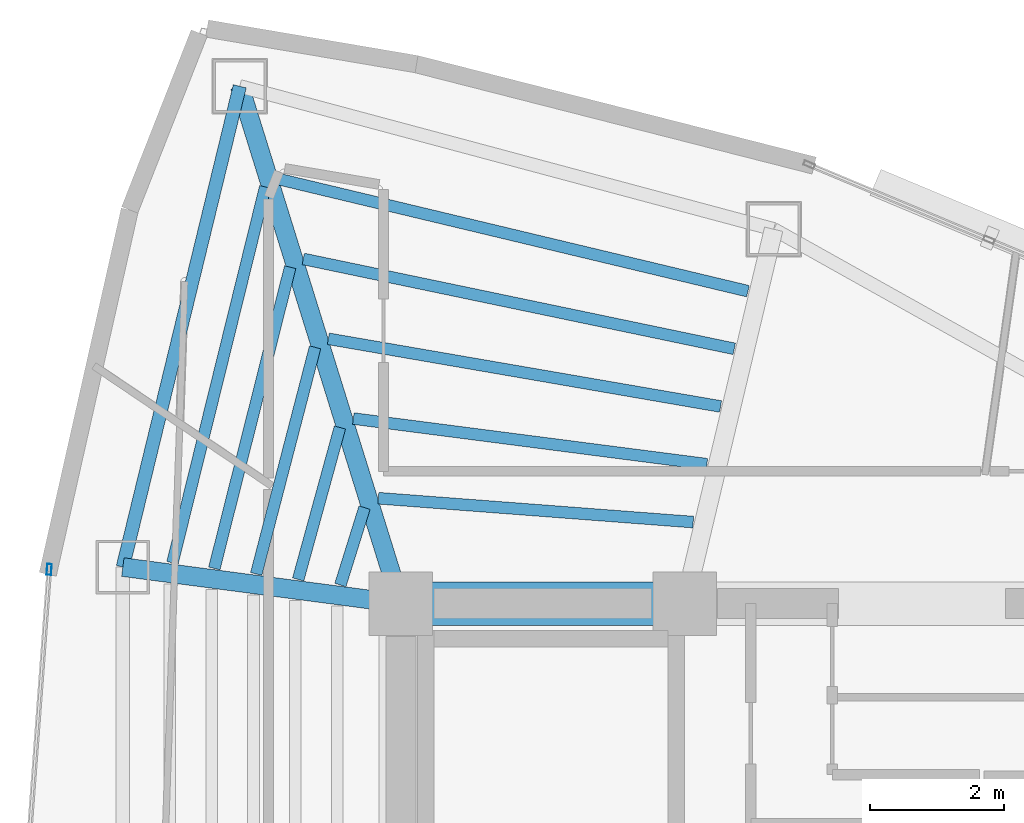
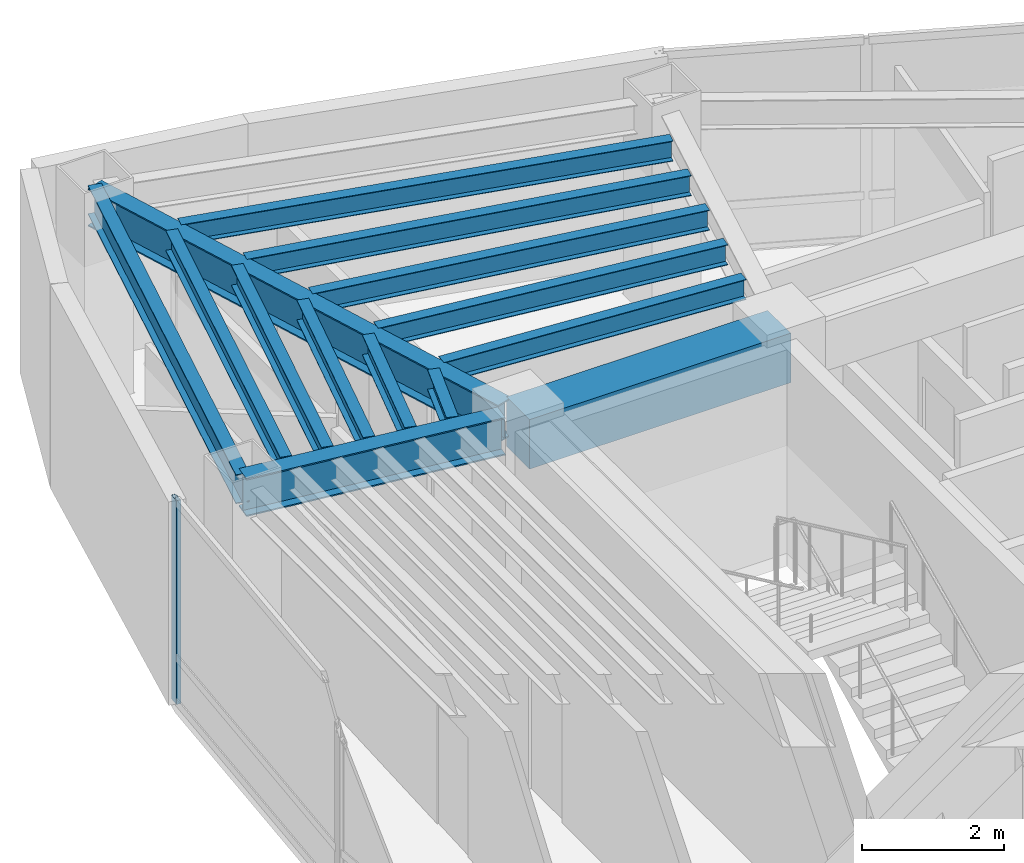
# One storey, part 7 of 16: 14 beams, 1 member, 1 element without a shape of its own.
"""IFC4 building model written with IfcOpenShell, lengths in metres."""

from ifc_helpers import new_model, si_unit, direction, frame, origin, origin_2d, place, context, subcontext, project, spatial, rectangle, hollow_rectangle, i_section, extrude, material, layer, layer_set, material_profile, profile_set, type_object, element, aggregate, save


model = new_model("IFC4")

# Units and contexts
model_context = context("Model", 3, precision=1e-05, world=origin(), true_north=direction((0.0, 1.0)))
body_context = subcontext(model_context, "Body", "Model", "MODEL_VIEW")
ifc_project = project(units=[si_unit("LENGTHUNIT", "METRE"), si_unit("AREAUNIT", "SQUARE_METRE"), si_unit("VOLUMEUNIT", "CUBIC_METRE"), si_unit("PLANEANGLEUNIT", "RADIAN"), si_unit("MASSUNIT", "GRAM", prefix="KILO")], contexts=[model_context])

# Site, building, storey
site_placement = place(None, origin())
site = spatial("IfcSite", under=ifc_project, at=site_placement, CompositionType="ELEMENT")
building_placement = place(site_placement, origin())
building = spatial("IfcBuilding", under=site, at=building_placement, Name="Menara Vayukalpa", CompositionType="ELEMENT")
storey_placement = place(building_placement, frame((0.0, 0.0, 273.179931640625)))
storey = spatial("IfcBuildingStorey", under=building, at=storey_placement, Name="L69", CompositionType="ELEMENT", Elevation=273.179931640625)

# Beams
ifc_material_1 = material(Name="Concrete C60/75", Category="concrete")
ifc_material_profile_1 = material_profile(ifc_material_1, rectangle(XDim=0.64990234375, YDim=0.85009765625, at=origin_2d()), Name="RC 650x850")
ifc_profile_set_1 = profile_set([ifc_material_profile_1], Name="Concrete C60/75")
beam_type_1 = type_object("IfcBeamType", Name="BM-CB1", PredefinedType="BEAM", material=ifc_profile_set_1)
beam_1_placement = place(storey_placement, frame((17.800048828125, 26.800048828125, 3.074951171875), z_axis=(1.0, 0.0, 0.0), x_axis=(0.0, 1.0, 0.0)))
element("IfcBeam", 1, at=beam_1_placement, inside=storey, type_object=beam_type_1, Name="L69 Core Tie Beam CBR4", PredefinedType="BEAM", context=body_context, shape_type="SweptSolid", body=[
    extrude(rectangle(XDim=0.64990234375, YDim=0.85009765625, at=origin_2d()), origin(), (0.0, 0.0, 1.0), 4.25),
])
ifc_material_2 = material(Name="Steel S355", Category="steel")
ifc_material_profile_2 = material_profile(ifc_material_2, i_section(OverallWidth=0.280029296875, OverallDepth=0.64990234375, WebThickness=0.012939453125, FlangeThickness=0.02197265625, at=origin_2d()), Name="WF 650x280x13x22")
ifc_profile_set_2 = profile_set([ifc_material_profile_2], Name="Steel S355")
beam_type_2 = type_object("IfcBeamType", Name="BM-PG6", PredefinedType="BEAM", material=ifc_profile_set_2)
beam_2_placement = place(storey_placement, frame((17.7255859375, 27.038818359375, 3.175048828125), z_axis=(-0.297213792842, 0.954810955815, 0.0), x_axis=(-0.954810955815, -0.297213792842, 0.0)))
element("IfcBeam", 2, at=beam_2_placement, inside=storey, type_object=beam_type_2, Name="L69 Primary Radial Girder RG04", PredefinedType="BEAM", context=body_context, shape_type="SweptSolid", body=[
    extrude(i_section(OverallWidth=0.280029296875, OverallDepth=0.64990234375, WebThickness=0.012939453125, FlangeThickness=0.02197265625, at=origin_2d()), origin(), (0.0, 0.0, 1.0), 7.861083984375),
])
beam_3_placement = place(storey_placement, frame((17.552001953125, 26.83251953125, 3.175048828125), z_axis=(-0.991477860763, 0.130275291662, 0.0), x_axis=(-0.130275291662, -0.991477860763, 0.0)))
element("IfcBeam", 3, at=beam_3_placement, inside=storey, type_object=beam_type_2, Name="L69 Primary Radial Girder RG05", PredefinedType="BEAM", context=body_context, shape_type="SweptSolid", body=[
    extrude(i_section(OverallWidth=0.280029296875, OverallDepth=0.64990234375, WebThickness=0.012939453125, FlangeThickness=0.02197265625, at=origin_2d()), origin(), (0.0, 0.0, 1.0), 3.94677734375),
])
ifc_material_3 = material(Name="Steel S355", Category="steel")
ifc_material_profile_3 = material_profile(ifc_material_3, i_section(OverallWidth=0.175048828125, OverallDepth=0.35009765625, WebThickness=0.007080078125, FlangeThickness=0.010986328125, at=origin_2d()), Name="WF 350x175x7x11")
ifc_profile_set_3 = profile_set([ifc_material_profile_3], Name="Steel S355")
beam_type_3 = type_object("IfcBeamType", Name="BM-SJ3", PredefinedType="JOIST", material=ifc_profile_set_3)
beam_4_placement = place(storey_placement, frame((22.177490234375, 28.0205078125, 3.324951171875), z_axis=(-0.997140447376, 0.075570683512, 0.0), x_axis=(-0.075570683512, -0.997140447376, 0.0)))
element("IfcBeam", 4, at=beam_4_placement, inside=storey, type_object=beam_type_3, Name="L69 Secondary Floor Joist SJ03-1", PredefinedType="JOIST", context=body_context, shape_type="SweptSolid", body=[
    extrude(i_section(OverallWidth=0.175048828125, OverallDepth=0.35009765625, WebThickness=0.007080078125, FlangeThickness=0.010986328125, at=origin_2d()), origin(), (0.0, 0.0, 1.0), 4.726318359375),
])
beam_5_placement = place(storey_placement, frame((22.38232421875, 28.88671875, 3.324951171875), z_axis=(-0.991761375414, 0.128099079766, 0.0), x_axis=(-0.128099079766, -0.991761375414, 0.0)))
element("IfcBeam", 5, at=beam_5_placement, inside=storey, type_object=beam_type_3, Name="L69 Secondary Floor Joist SJ03-2", PredefinedType="JOIST", context=body_context, shape_type="SweptSolid", body=[
    extrude(i_section(OverallWidth=0.175048828125, OverallDepth=0.35009765625, WebThickness=0.007080078125, FlangeThickness=0.010986328125, at=origin_2d()), origin(), (0.0, 0.0, 1.0), 5.33642578125),
])
beam_6_placement = place(storey_placement, frame((22.587158203125, 29.751220703125, 3.324951171875), z_axis=(-0.985438818134, 0.170030396443, 0.0), x_axis=(-0.170030396443, -0.985438818134, 0.0)))
element("IfcBeam", 6, at=beam_6_placement, inside=storey, type_object=beam_type_3, Name="L69 Secondary Floor Joist SJ03-3", PredefinedType="JOIST", context=body_context, shape_type="SweptSolid", body=[
    extrude(i_section(OverallWidth=0.175048828125, OverallDepth=0.35009765625, WebThickness=0.007080078125, FlangeThickness=0.010986328125, at=origin_2d()), origin(), (0.0, 0.0, 1.0), 5.958740234375),
])
beam_7_placement = place(storey_placement, frame((22.7919921875, 30.614501953125, 3.324951171875), z_axis=(-0.978940645958, 0.204145075108, 0.0), x_axis=(-0.204145075108, -0.978940645958, 0.0)))
element("IfcBeam", 7, at=beam_7_placement, inside=storey, type_object=beam_type_3, Name="L69 Secondary Floor Joist SJ03-4", PredefinedType="JOIST", context=body_context, shape_type="SweptSolid", body=[
    extrude(i_section(OverallWidth=0.175048828125, OverallDepth=0.35009765625, WebThickness=0.007080078125, FlangeThickness=0.010986328125, at=origin_2d()), origin(), (0.0, 0.0, 1.0), 6.5908203125),
])
beam_8_placement = place(storey_placement, frame((22.996826171875, 31.476806640625, 3.324951171875), z_axis=(-0.972633830791, 0.232343347656, 0.0), x_axis=(-0.232343347656, -0.972633830791, 0.0)))
element("IfcBeam", 8, at=beam_8_placement, inside=storey, type_object=beam_type_3, Name="L69 Secondary Floor Joist SJ03-5", PredefinedType="JOIST", context=body_context, shape_type="SweptSolid", body=[
    extrude(i_section(OverallWidth=0.175048828125, OverallDepth=0.35009765625, WebThickness=0.007080078125, FlangeThickness=0.010986328125, at=origin_2d()), origin(), (0.0, 0.0, 1.0), 7.229248046875),
])
beam_9_placement = place(storey_placement, frame((17.25732421875, 28.237060546875, 3.324951171875), z_axis=(-0.297954442868, -0.954580090917, 0.0), x_axis=(0.954580090917, -0.297954442868, 0.0)))
element("IfcBeam", 9, at=beam_9_placement, inside=storey, type_object=beam_type_3, Name="L69 Secondary Floor Joist SJ04-1", PredefinedType="JOIST", context=body_context, shape_type="SweptSolid", body=[
    extrude(i_section(OverallWidth=0.175048828125, OverallDepth=0.35009765625, WebThickness=0.007080078125, FlangeThickness=0.010986328125, at=origin_2d()), origin(), (0.0, 0.0, 1.0), 1.21435546875),
])
beam_10_placement = place(storey_placement, frame((16.888916015625, 29.436279296875, 3.324951171875), z_axis=(-0.264947201585, -0.96426292077, 0.0), x_axis=(0.96426292077, -0.264947201585, 0.0)))
element("IfcBeam", 10, at=beam_10_placement, inside=storey, type_object=beam_type_3, Name="L69 Secondary Floor Joist SJ04-2", PredefinedType="JOIST", context=body_context, shape_type="SweptSolid", body=[
    extrude(i_section(OverallWidth=0.175048828125, OverallDepth=0.35009765625, WebThickness=0.007080078125, FlangeThickness=0.010986328125, at=origin_2d()), origin(), (0.0, 0.0, 1.0), 2.35888671875),
])
beam_11_placement = place(storey_placement, frame((16.51708984375, 30.63671875, 3.324951171875), z_axis=(-0.251457685321, -0.967868292947, 0.0), x_axis=(0.967868292947, -0.251457685321, 0.0)))
element("IfcBeam", 11, at=beam_11_placement, inside=storey, type_object=beam_type_3, Name="L69 Secondary Floor Joist SJ04-3", PredefinedType="JOIST", context=body_context, shape_type="SweptSolid", body=[
    extrude(i_section(OverallWidth=0.175048828125, OverallDepth=0.35009765625, WebThickness=0.007080078125, FlangeThickness=0.010986328125, at=origin_2d()), origin(), (0.0, 0.0, 1.0), 3.5048828125),
])
beam_12_placement = place(storey_placement, frame((16.14453125, 31.83740234375, 3.324951171875), z_axis=(-0.244239657645, -0.969714901212, 0.0), x_axis=(0.969714901212, -0.244239657645, 0.0)))
element("IfcBeam", 12, at=beam_12_placement, inside=storey, type_object=beam_type_3, Name="L69 Secondary Floor Joist SJ04-4", PredefinedType="JOIST", context=body_context, shape_type="SweptSolid", body=[
    extrude(i_section(OverallWidth=0.175048828125, OverallDepth=0.35009765625, WebThickness=0.007080078125, FlangeThickness=0.010986328125, at=origin_2d()), origin(), (0.0, 0.0, 1.0), 4.651123046875),
])
beam_13_placement = place(storey_placement, frame((15.771240234375, 33.0380859375, 3.324951171875), z_axis=(-0.239690910211, -0.970849250688, 0.0), x_axis=(0.970849250688, -0.239690910211, 0.0)))
element("IfcBeam", 13, at=beam_13_placement, inside=storey, type_object=beam_type_3, Name="L69 Secondary Floor Joist SJ04-5", PredefinedType="JOIST", context=body_context, shape_type="SweptSolid", body=[
    extrude(i_section(OverallWidth=0.175048828125, OverallDepth=0.35009765625, WebThickness=0.007080078125, FlangeThickness=0.010986328125, at=origin_2d()), origin(), (0.0, 0.0, 1.0), 5.797607421875),
])
ifc_material_4 = material(Name="Steel S355", Category="steel")
ifc_material_profile_4 = material_profile(ifc_material_4, i_section(OverallWidth=0.199951171875, OverallDepth=0.5, WebThickness=0.010009765625, FlangeThickness=0.01611328125, at=origin_2d()), Name="WF 500x200x10x16")
ifc_profile_set_4 = profile_set([ifc_material_profile_4], Name="Steel S355")
beam_type_4 = type_object("IfcBeamType", Name="BM-SP3", PredefinedType="SPANDREL", material=ifc_profile_set_4)
beam_14_placement = place(storey_placement, frame((15.38916015625, 34.544677734375, 3.25), z_axis=(-0.236272525754, -0.97168682896, 0.0), x_axis=(0.97168682896, -0.236272525754, 0.0)))
element("IfcBeam", 14, at=beam_14_placement, inside=storey, type_object=beam_type_4, Name="L69 Perimeter Spandrel Beam SP04", PredefinedType="SPANDREL", context=body_context, shape_type="SweptSolid", body=[
    extrude(i_section(OverallWidth=0.199951171875, OverallDepth=0.5, WebThickness=0.010009765625, FlangeThickness=0.01611328125, at=origin_2d()), origin(), (0.0, 0.0, 1.0), 7.40771484375),
])

# Curtain wall, member
ifc_material_5 = material(Name="Anodised Terracotta Aluminium Alloy 6063-T6", Category="masonry")
ifc_layer = layer(ifc_material_5, 0.1650390625)
ifc_layer_set = layer_set([ifc_layer], Name="Anodised Terracotta Aluminium Alloy 6063-T6")
curtain_wall_type = type_object("IfcCurtainWallType", Name="CW-CW6", PredefinedType="USERDEFINED", material=ifc_layer_set)
curtain_wall_placement = place(storey_placement, origin())
curtain_wall = element("IfcCurtainWall", 15, at=curtain_wall_placement, inside=storey, type_object=curtain_wall_type, Name="L69 Observation and Executive Curtain Wall CW6 10", ObjectType="UNITISED", PredefinedType="USERDEFINED")
ifc_material_6 = material(Name="Anodised Terracotta Aluminium Alloy 6063-T6", Category="masonry")
ifc_material_profile_5 = material_profile(ifc_material_6, hollow_rectangle(XDim=0.070068359375, YDim=0.1650390625, WallThickness=0.00390625, at=origin_2d()), Name="ALU 70x165x4")
ifc_profile_set_5 = profile_set([ifc_material_profile_5], Name="Anodised Terracotta Aluminium Alloy 6063-T6")
member_type = type_object("IfcMemberType", Name="CWM-CW6", PredefinedType="MULLION", material=ifc_profile_set_5)
member_placement = place(storey_placement, frame((12.536376953125, 27.311767578125, 0.0), z_axis=(0.0, 0.0, 1.0), x_axis=(0.997199344663, -0.074789484574, 0.0)))
member = element("IfcMember", 16, at=member_placement, type_object=member_type, Name="CW6 mullion 1", PredefinedType="MULLION", context=body_context, shape_type="SweptSolid", body=[
    extrude(hollow_rectangle(XDim=0.070068359375, YDim=0.1650390625, WallThickness=0.00390625, at=origin_2d()), origin(), (0.0, 0.0, 1.0), 3.5),
])
aggregate(curtain_wall, [member])

save(model, "model.ifc")
